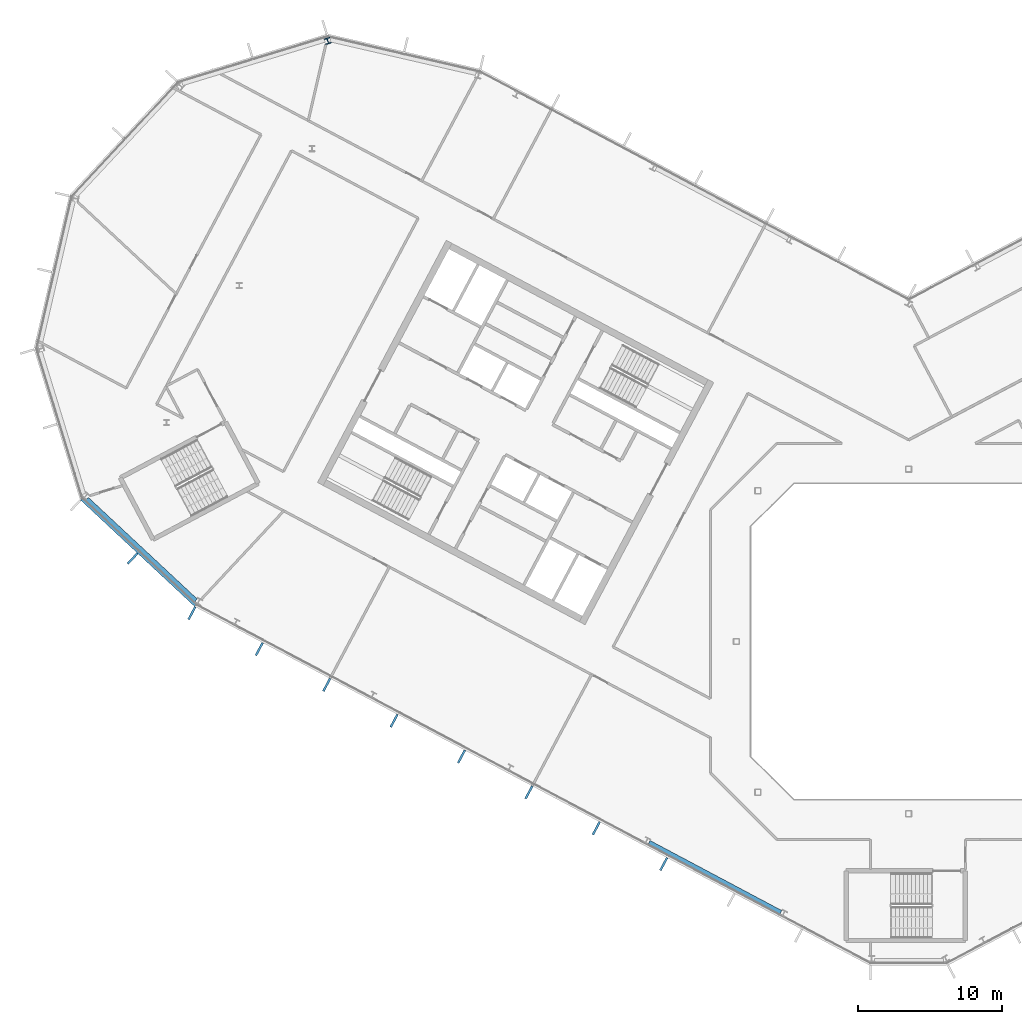
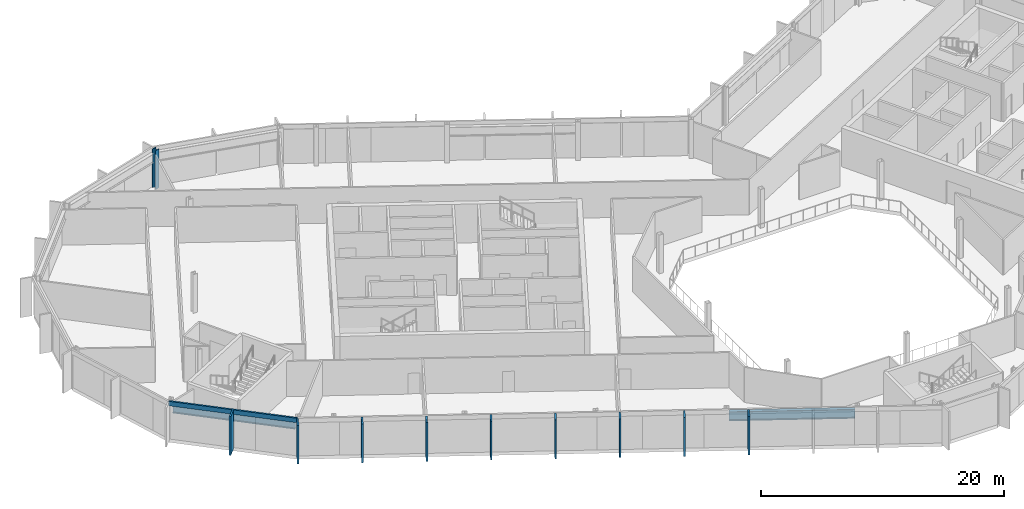
# One storey, part 8 of 25: 10 members, 2 beams, 1 column, 2 elements without a shape of their own.
"""IFC4 building model written with IfcOpenShell, lengths in metres."""

import ifcopenshell
import ifcopenshell.guid

model = None  # the IFC model being written
_history = None  # IfcOwnerHistory: only IFC2X3 demands one
_inside = {}  # id of a spatial element -> (the spatial element, [elements in it])
_under = {}  # id of a project, library or spatial element -> (it, [spatial elements below it])
_declared = {}  # id of a project -> (the project, [libraries it declares])
_typed = {}  # id of a type object -> (the type object, [elements of that type])
_made_of = {}  # id of a material, layer set ... -> (it, [elements and type objects made of it])


def new_model(schema):
    """Start an empty IFC model of exactly this schema.

    Asked for "IFC4X3", IfcOpenShell would pick the latest addendum, in which some entities
    have other attributes; the version numbers below select the first issue.
    IFC2X3 requires an IfcOwnerHistory on every rooted entity: one is made here for all.
    """
    global model, _history
    if schema == "IFC4X3":
        model = ifcopenshell.file(schema_version=(4, 3, 0, 0))
    else:
        model = ifcopenshell.file(schema=schema)
    _inside.clear()
    _under.clear()
    _declared.clear()
    _typed.clear()
    _made_of.clear()
    _history = None
    if model.schema == "IFC2X3":
        org = make("IfcOrganization", Name="unknown")
        user = make(
            "IfcPersonAndOrganization",
            ThePerson=make("IfcPerson", FamilyName="unknown"),
            TheOrganization=org,
        )
        app = make(
            "IfcApplication",
            ApplicationDeveloper=org,
            Version="unknown",
            ApplicationFullName="unknown",
            ApplicationIdentifier="unknown",
        )
        _history = make(
            "IfcOwnerHistory",
            OwningUser=user,
            OwningApplication=app,
            ChangeAction="ADDED",
            CreationDate=0,
        )
    return model


def make(cls, **values):
    """One entity of the class cls with the attributes given. An attribute that is None is left unset."""
    return model.create_entity(
        cls, **{name: value for name, value in values.items() if value is not None}
    )


def rooted(cls, **values):
    """An entity with a GlobalId (a new one), such as an element, a storey or a relation."""
    return make(cls, GlobalId=ifcopenshell.guid.new(), OwnerHistory=_history, **values)


def si_unit(unit_type, name, prefix=None):
    """IfcSIUnit, for example si_unit("LENGTHUNIT", "METRE", prefix="MILLI")."""
    return make("IfcSIUnit", UnitType=unit_type, Prefix=prefix, Name=name)


def assignment(units):
    """IfcUnitAssignment: the units of a project."""
    return None if units is None else make("IfcUnitAssignment", Units=units)


def point(xyz):
    """IfcCartesianPoint."""
    return None if xyz is None else make("IfcCartesianPoint", Coordinates=xyz)


def direction(xyz):
    """IfcDirection."""
    return None if xyz is None else make("IfcDirection", DirectionRatios=xyz)


def frame(location, z_axis=None, x_axis=None):
    """IfcAxis2Placement3D, a coordinate frame: its origin and axes. An axis left out is left unset."""
    return make(
        "IfcAxis2Placement3D",
        Location=point(location),
        Axis=direction(z_axis),
        RefDirection=direction(x_axis),
    )


def frame_2d(location, x_axis=None):
    """IfcAxis2Placement2D, a coordinate frame in the plane: its origin and x axis."""
    return make(
        "IfcAxis2Placement2D", Location=point(location), RefDirection=direction(x_axis)
    )


def origin():
    """The frame at (0, 0, 0) with its axes left unset."""
    return frame((0.0, 0.0, 0.0))


def origin_2d():
    """The frame at (0, 0) in the plane with its x axis left unset."""
    return frame_2d((0.0, 0.0))


def place(relative_to, where):
    """IfcLocalPlacement: puts the frame where relative to a parent placement (None: the world)."""
    return make(
        "IfcLocalPlacement", PlacementRelTo=relative_to, RelativePlacement=where
    )


def context(
    kind, dimensions, precision=None, world=None, true_north=None, identifier=None
):
    """IfcGeometricRepresentationContext, for example the 3D "Model" context."""
    return make(
        "IfcGeometricRepresentationContext",
        ContextIdentifier=identifier,
        ContextType=kind,
        CoordinateSpaceDimension=dimensions,
        Precision=precision,
        WorldCoordinateSystem=world,
        TrueNorth=true_north,
    )


def subcontext(parent, identifier, kind, view, scale=None):
    """IfcGeometricRepresentationSubContext, for example "Body" below "Model"."""
    return make(
        "IfcGeometricRepresentationSubContext",
        ContextIdentifier=identifier,
        ContextType=kind,
        ParentContext=parent,
        TargetScale=scale,
        TargetView=view,
    )


def project(units=None, contexts=None):
    """IfcProject with its units and contexts."""
    return rooted(
        "IfcProject",
        Name="project",
        RepresentationContexts=contexts,
        UnitsInContext=assignment(units),
    )


def spatial(cls, under=None, at=None, **own):
    """A site, building, storey or space (cls), placed at a placement, below another one or the project."""
    s = rooted(cls, ObjectPlacement=at, **own)
    if under is not None:
        _under.setdefault(under.id(), (under, []))[1].append(s)
    return s


def profile(cls, at=None, kind="AREA", **sizes):
    """A parametric profile (cls). Its sizes go by their IFC names, for example OverallWidth=200.0."""
    return make(cls, ProfileType=kind, Position=at, **sizes)


def rectangle(**sizes):
    """IfcRectangleProfileDef."""
    return profile("IfcRectangleProfileDef", **sizes)


def i_section(**sizes):
    """IfcIShapeProfileDef."""
    return profile("IfcIShapeProfileDef", **sizes)


def extrude(swept, where, along, depth):
    """IfcExtrudedAreaSolid: the profile swept, set in the frame where, extruded along a direction by depth."""
    return make(
        "IfcExtrudedAreaSolid",
        SweptArea=swept,
        Position=where,
        ExtrudedDirection=direction(along),
        Depth=depth,
    )


def shape(context_of_items, identifier, shape_type, items):
    """IfcShapeRepresentation: the items that make up one representation, for example the "Body"."""
    return make(
        "IfcShapeRepresentation",
        ContextOfItems=context_of_items,
        RepresentationIdentifier=identifier,
        RepresentationType=shape_type,
        Items=items,
    )


def material(Name=None, Category=None):
    """IfcMaterial."""
    return make("IfcMaterial", Name=Name, Category=Category)


def layer(
    of_material, thickness, ventilated=None, Name=None, Category=None, Priority=None
):
    """IfcMaterialLayer: one layer of a wall or slab, of a material (None: an air gap)."""
    return make(
        "IfcMaterialLayer",
        Material=of_material,
        LayerThickness=thickness,
        IsVentilated=ventilated,
        Name=Name,
        Category=Category,
        Priority=Priority,
    )


def layer_set(layers, Name=None):
    """IfcMaterialLayerSet."""
    return make("IfcMaterialLayerSet", MaterialLayers=layers, LayerSetName=Name)


def material_profile(
    of_material, cross_section, Name=None, Category=None, Priority=None
):
    """IfcMaterialProfile: a cross section and its material."""
    return make(
        "IfcMaterialProfile",
        Name=Name,
        Material=of_material,
        Profile=cross_section,
        Priority=Priority,
        Category=Category,
    )


def profile_set(profiles, Name=None, composite=None):
    """IfcMaterialProfileSet."""
    return make(
        "IfcMaterialProfileSet",
        Name=Name,
        MaterialProfiles=profiles,
        CompositeProfile=composite,
    )


def made_of(thing, what):
    """Note that an element or type object is made of a material, layer set ...; save() writes the relation."""
    if what is not None:
        _made_of.setdefault(what.id(), (what, []))[1].append(thing)
    return thing


def type_object(cls, material=None, **own):
    """A type object (cls), such as IfcWallType, which elements share."""
    return made_of(rooted(cls, **own), material)


def element(
    cls,
    number,
    at=None,
    inside=None,
    cuts=None,
    type_object=None,
    material=None,
    context=None,
    identifier="Body",
    shape_type=None,
    held_by="IfcProductDefinitionShape",
    body=None,
    shapes=None,
    **own,
):
    """One element of the class cls, such as IfcWall. Its Tag is "e" and its number.

    at: its placement. inside: the storey or other place that contains it. cuts: it is an
    opening in that element (IfcRelVoidsElement). A single representation is given by context,
    identifier, shape_type and body (its items); several are given by shapes. held_by: the class
    of the entity that holds the representations. save() writes the other relations.
    """
    e = rooted(cls, Tag="e%d" % number, ObjectPlacement=at, **own)
    if body is not None:
        shapes = [shape(context, identifier, shape_type, body)]
    if shapes is not None:
        e.Representation = make(held_by, Representations=shapes)
    if inside is not None:
        _inside.setdefault(inside.id(), (inside, []))[1].append(e)
    if cuts is not None:
        rooted(
            "IfcRelVoidsElement", RelatingBuildingElement=cuts, RelatedOpeningElement=e
        )
    if type_object is not None:
        _typed.setdefault(type_object.id(), (type_object, []))[1].append(e)
    return made_of(e, material)


def aggregate(whole, parts):
    """IfcRelAggregates: a whole, such as a stair, and the parts it consists of."""
    return rooted("IfcRelAggregates", RelatingObject=whole, RelatedObjects=parts)


def save(model, path):
    """Write the relations noted so far, then the file.

    IfcRelAggregates (storeys below a building ...), IfcRelContainedInSpatialStructure (elements
    in a storey), IfcRelDefinesByType, IfcRelAssociatesMaterial and IfcRelDeclares: one each for
    every whole, place, type object, material and project.
    """
    for whole, parts in _under.values():
        aggregate(whole, parts)
    for where, things in _inside.values():
        rooted(
            "IfcRelContainedInSpatialStructure",
            RelatedElements=things,
            RelatingStructure=where,
        )
    for kind, things in _typed.values():
        rooted("IfcRelDefinesByType", RelatedObjects=things, RelatingType=kind)
    for what, things in _made_of.values():
        rooted("IfcRelAssociatesMaterial", RelatedObjects=things, RelatingMaterial=what)
    for by, libraries in _declared.values():
        rooted("IfcRelDeclares", RelatingContext=by, RelatedDefinitions=libraries)
    model.write(path)


model = new_model("IFC4")

# Units and contexts
model_context = context("Model", 3, precision=1e-05, world=origin(), true_north=direction((0.0, 1.0)))
body_context = subcontext(model_context, "Body", "Model", "MODEL_VIEW")
ifc_project = project(units=[si_unit("LENGTHUNIT", "METRE"), si_unit("AREAUNIT", "SQUARE_METRE"), si_unit("VOLUMEUNIT", "CUBIC_METRE"), si_unit("PLANEANGLEUNIT", "RADIAN"), si_unit("MASSUNIT", "GRAM", prefix="KILO")], contexts=[model_context])

# Site, building, storey
site_placement = place(None, origin())
site = spatial("IfcSite", under=ifc_project, at=site_placement, CompositionType="ELEMENT")
building_placement = place(site_placement, origin())
building = spatial("IfcBuilding", under=site, at=building_placement, Name="Cormorant Relay Tower", CompositionType="ELEMENT")
storey_placement = place(building_placement, frame((0.0, 0.0, 297.0)))
storey = spatial("IfcBuildingStorey", under=building, at=storey_placement, Name="L67", CompositionType="ELEMENT", Elevation=297.0)

# Column
ifc_material_1 = material(Name="Steel ASTM A992 (Fy 345 MPa)", Category="steel")
ifc_material_profile_1 = material_profile(ifc_material_1, i_section(OverallWidth=0.40380859375, OverallDepth=0.406494140625, WebThickness=0.027099609375, FlangeThickness=0.043701171875, FilletRadius=0.01513671875, at=origin_2d()), Name="W360x347")
ifc_profile_set_1 = profile_set([ifc_material_profile_1], Name="Steel ASTM A992 (Fy 345 MPa)")
column_type = type_object("IfcColumnType", Name="Column W360x347", PredefinedType="COLUMN", material=ifc_profile_set_1)
column_placement = place(storey_placement, frame((-40.455078125, 41.823974609375, 0.0), z_axis=(0.0, 0.0, 1.0), x_axis=(-0.956304755963, -0.292371704723, 0.0)))
element("IfcColumn", 1, at=column_placement, inside=storey, type_object=column_type, Name="Column L67-043", PredefinedType="COLUMN", context=body_context, shape_type="SweptSolid", body=[
    extrude(i_section(OverallWidth=0.40380859375, OverallDepth=0.406494140625, WebThickness=0.027099609375, FlangeThickness=0.043701171875, FilletRadius=0.01513671875, at=origin_2d()), origin(), (0.0, 0.0, 1.0), 3.89990234375),
])

# Curtain wall, member
ifc_material_2 = material(Name="Aluminium 6063-T6 anodised bronze", Category="aluminium")
ifc_layer = layer(ifc_material_2, 0.199951171875)
ifc_layer_set = layer_set([ifc_layer], Name="CW1 unitised bronze curtain wall with vertical fins")
curtain_wall_type = type_object("IfcCurtainWallType", Name="CW1 unitised bronze curtain wall with vertical fins", PredefinedType="NOTDEFINED", material=ifc_layer_set)
curtain_wall_1_placement = place(storey_placement, origin())
curtain_wall_1 = element("IfcCurtainWall", 2, at=curtain_wall_1_placement, inside=storey, type_object=curtain_wall_type, Name="CW1 curtain wall 15", PredefinedType="NOTDEFINED")
ifc_material_3 = material(Name="Aluminium 6063-T6 anodised bronze", Category="aluminium")
ifc_material_profile_2 = material_profile(ifc_material_3, rectangle(XDim=0.14990234375, YDim=1.0, at=origin_2d()), Name="AL 150x1000")
ifc_profile_set_2 = profile_set([ifc_material_profile_2], Name="Aluminium 6063-T6 anodised bronze")
member_type_1 = type_object("IfcMemberType", Name="CW1 bronze fin mullion 150 x 1000", PredefinedType="MULLION", material=ifc_profile_set_2)
member_1_placement = place(storey_placement, frame((-54.0439453125, 5.779296875, 0.0), z_axis=(0.0, 0.0, 1.0), x_axis=(0.731353701619, -0.681998360062, 0.0)))
member_1 = element("IfcMember", 3, at=member_1_placement, type_object=member_type_1, Name="CW1 fin 15.2", PredefinedType="MULLION", context=body_context, shape_type="SweptSolid", body=[
    extrude(rectangle(XDim=0.14990234375, YDim=1.0, at=origin_2d()), origin(), (0.0, 0.0, 1.0), 3.89990234375),
])

# Curtain wall, members
curtain_wall_2_placement = place(storey_placement, origin())
curtain_wall_2 = element("IfcCurtainWall", 4, at=curtain_wall_2_placement, inside=storey, type_object=curtain_wall_type, Name="CW1 curtain wall 16", PredefinedType="NOTDEFINED")
member_2_placement = place(storey_placement, frame((-49.920166015625, 1.96630859375, 0.0), z_axis=(0.0, 0.0, 1.0), x_axis=(0.882947592859, -0.469471562786, 0.0)))
member_2 = element("IfcMember", 5, at=member_2_placement, type_object=member_type_1, Name="CW1 fin 16.1", PredefinedType="MULLION", context=body_context, shape_type="SweptSolid", body=[
    extrude(rectangle(XDim=0.14990234375, YDim=1.0, at=origin_2d()), origin(), (0.0, 0.0, 1.0), 3.89990234375),
])
member_3_placement = place(storey_placement, frame((-45.225830078125, -0.52978515625, 0.0), z_axis=(0.0, 0.0, 1.0), x_axis=(0.882947592859, -0.469471562786, 0.0)))
member_3 = element("IfcMember", 6, at=member_3_placement, type_object=member_type_1, Name="CW1 fin 16.2", PredefinedType="MULLION", context=body_context, shape_type="SweptSolid", body=[
    extrude(rectangle(XDim=0.14990234375, YDim=1.0, at=origin_2d()), origin(), (0.0, 0.0, 1.0), 3.89990234375),
])
member_4_placement = place(storey_placement, frame((-40.531494140625, -3.025634765625, 0.0), z_axis=(0.0, 0.0, 1.0), x_axis=(0.882947592859, -0.469471562786, 0.0)))
member_4 = element("IfcMember", 7, at=member_4_placement, type_object=member_type_1, Name="CW1 fin 16.3", PredefinedType="MULLION", context=body_context, shape_type="SweptSolid", body=[
    extrude(rectangle(XDim=0.14990234375, YDim=1.0, at=origin_2d()), origin(), (0.0, 0.0, 1.0), 3.89990234375),
])
member_5_placement = place(storey_placement, frame((-35.83740234375, -5.521728515625, 0.0), z_axis=(0.0, 0.0, 1.0), x_axis=(0.882947592859, -0.469471562786, 0.0)))
member_5 = element("IfcMember", 8, at=member_5_placement, type_object=member_type_1, Name="CW1 fin 16.4", PredefinedType="MULLION", context=body_context, shape_type="SweptSolid", body=[
    extrude(rectangle(XDim=0.14990234375, YDim=1.0, at=origin_2d()), origin(), (0.0, 0.0, 1.0), 3.89990234375),
])
member_6_placement = place(storey_placement, frame((-31.14306640625, -8.017578125, 0.0), z_axis=(0.0, 0.0, 1.0), x_axis=(0.882947592859, -0.469471562786, 0.0)))
member_6 = element("IfcMember", 9, at=member_6_placement, type_object=member_type_1, Name="CW1 fin 16.5", PredefinedType="MULLION", context=body_context, shape_type="SweptSolid", body=[
    extrude(rectangle(XDim=0.14990234375, YDim=1.0, at=origin_2d()), origin(), (0.0, 0.0, 1.0), 3.89990234375),
])
member_7_placement = place(storey_placement, frame((-26.44873046875, -10.513671875, 0.0), z_axis=(0.0, 0.0, 1.0), x_axis=(0.882947592859, -0.469471562786, 0.0)))
member_7 = element("IfcMember", 10, at=member_7_placement, type_object=member_type_1, Name="CW1 fin 16.6", PredefinedType="MULLION", context=body_context, shape_type="SweptSolid", body=[
    extrude(rectangle(XDim=0.14990234375, YDim=1.0, at=origin_2d()), origin(), (0.0, 0.0, 1.0), 3.89990234375),
])
member_8_placement = place(storey_placement, frame((-21.754638671875, -13.009765625, 0.0), z_axis=(0.0, 0.0, 1.0), x_axis=(0.882947592859, -0.469471562786, 0.0)))
member_8 = element("IfcMember", 11, at=member_8_placement, type_object=member_type_1, Name="CW1 fin 16.7", PredefinedType="MULLION", context=body_context, shape_type="SweptSolid", body=[
    extrude(rectangle(XDim=0.14990234375, YDim=1.0, at=origin_2d()), origin(), (0.0, 0.0, 1.0), 3.89990234375),
])
member_9_placement = place(storey_placement, frame((-17.060302734375, -15.505615234375, 0.0), z_axis=(0.0, 0.0, 1.0), x_axis=(0.882947592859, -0.469471562786, 0.0)))
member_9 = element("IfcMember", 12, at=member_9_placement, type_object=member_type_1, Name="CW1 fin 16.8", PredefinedType="MULLION", context=body_context, shape_type="SweptSolid", body=[
    extrude(rectangle(XDim=0.14990234375, YDim=1.0, at=origin_2d()), origin(), (0.0, 0.0, 1.0), 3.89990234375),
])
aggregate(curtain_wall_2, [member_2, member_3, member_4, member_5, member_6, member_7, member_8, member_9])

# Member
ifc_material_4 = material(Name="Aluminium 6063-T6 anodised bronze", Category="aluminium")
ifc_material_profile_3 = material_profile(ifc_material_4, rectangle(XDim=0.159912109375, YDim=0.449951171875, at=origin_2d()), Name="AL 160x450")
ifc_profile_set_3 = profile_set([ifc_material_profile_3], Name="Aluminium 6063-T6 anodised bronze")
member_type_2 = type_object("IfcMemberType", Name="CW1 bronze transom 160 x 450", PredefinedType="USERDEFINED", material=ifc_profile_set_3)
member_10_placement = place(storey_placement, frame((-57.62353515625, 9.91015625, 3.675048828125), z_axis=(0.731358420696, -0.681993299437, 0.0), x_axis=(0.681993299437, 0.731358420696, 0.0)))
member_10 = element("IfcMember", 13, at=member_10_placement, type_object=member_type_2, Name="CW1 transom 15", ObjectType="TRANSOM", PredefinedType="USERDEFINED", context=body_context, shape_type="SweptSolid", body=[
    extrude(rectangle(XDim=0.159912109375, YDim=0.449951171875, at=origin_2d()), origin(), (0.0, 0.0, 1.0), 10.870361328125),
])

aggregate(curtain_wall_1, [member_1, member_10])

# Beams
ifc_material_5 = material(Name="Steel ASTM A992 (Fy 345 MPa)", Category="steel")
ifc_material_profile_4 = material_profile(ifc_material_5, i_section(OverallWidth=0.307373046875, OverallDepth=0.927001953125, WebThickness=0.019287109375, FlangeThickness=0.031982421875, FilletRadius=0.01904296875, at=origin_2d()), Name="W920x289")
ifc_profile_set_4 = profile_set([ifc_material_profile_4], Name="Steel ASTM A992 (Fy 345 MPa)")
beam_type = type_object("IfcBeamType", Name="Spandrel W920x289", PredefinedType="SPANDREL", material=ifc_profile_set_4)
beam_1_placement = place(storey_placement, frame((-57.234619140625, 9.921630859375, 3.076416015625), z_axis=(0.731364191518, -0.681987110849, 0.0), x_axis=(0.681987110849, 0.731364191518, 0.0)))
element("IfcBeam", 14, at=beam_1_placement, inside=storey, type_object=beam_type, Name="Spandrel beam L67-015", PredefinedType="SPANDREL", context=body_context, shape_type="SweptSolid", body=[
    extrude(i_section(OverallWidth=0.307373046875, OverallDepth=0.927001953125, WebThickness=0.019287109375, FlangeThickness=0.031982421875, FilletRadius=0.01904296875, at=origin_2d()), origin(), (0.0, 0.0, 1.0), 10.37841796875),
])
beam_2_placement = place(storey_placement, frame((-18.0869140625, -13.992919921875, 3.076416015625), z_axis=(0.882946088703, -0.469474391681, 0.0), x_axis=(0.469474391681, 0.882946088703, 0.0)))
element("IfcBeam", 15, at=beam_2_placement, inside=storey, type_object=beam_type, Name="Spandrel beam L67-016", PredefinedType="SPANDREL", context=body_context, shape_type="SweptSolid", body=[
    extrude(i_section(OverallWidth=0.307373046875, OverallDepth=0.927001953125, WebThickness=0.019287109375, FlangeThickness=0.031982421875, FilletRadius=0.01904296875, at=origin_2d()), origin(), (0.0, 0.0, 1.0), 10.401611328125),
])

save(model, "model.ifc")
